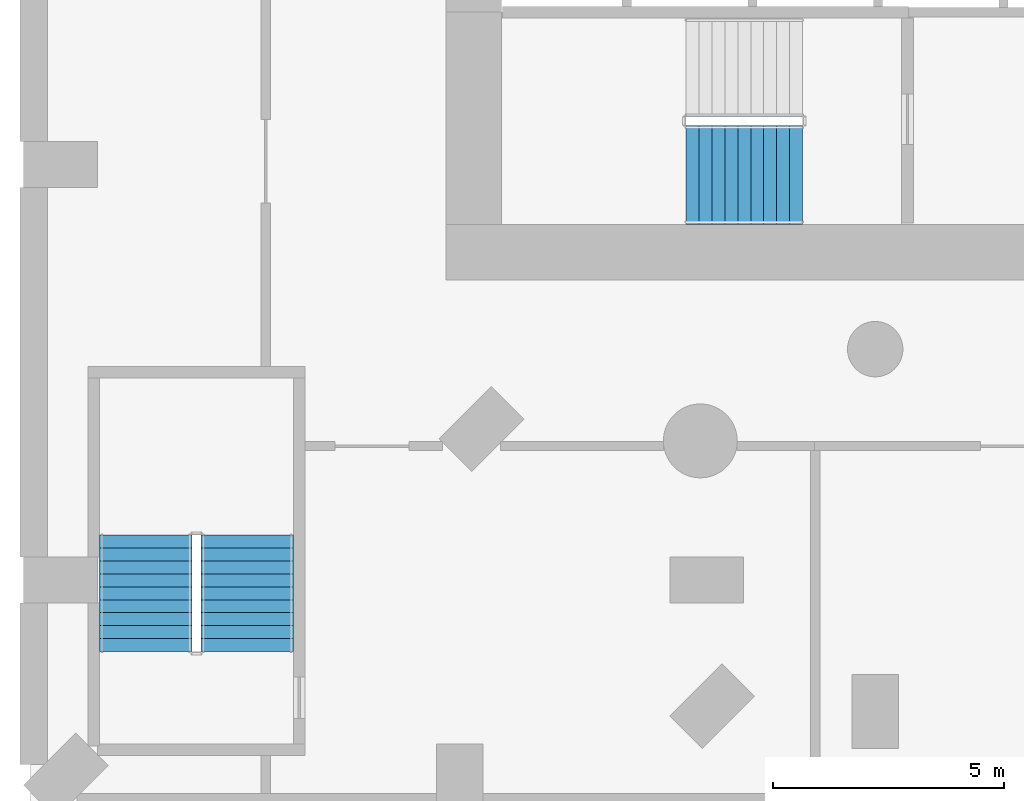
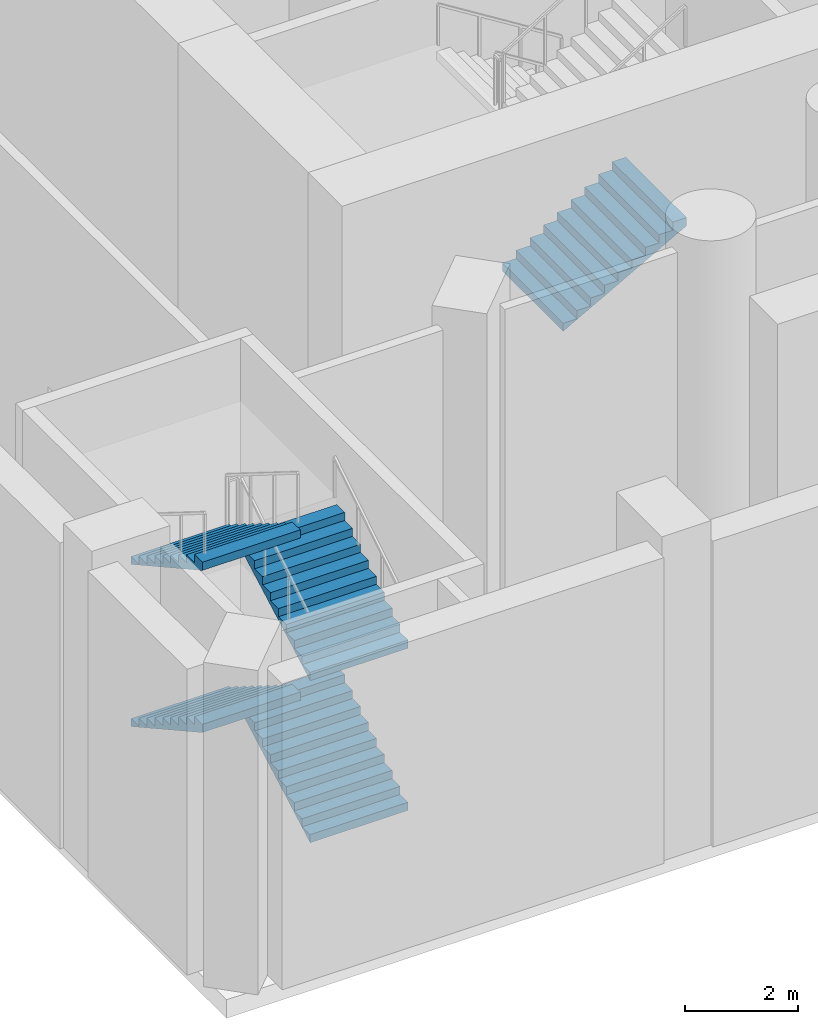
# One storey, part 11 of 21: 5 stair flights, 2 elements without a shape of their own.
"""IFC4 building model written with IfcOpenShell, lengths in metres."""

from ifc_helpers import new_model, si_unit, direction, frame, origin, place, context, subcontext, project, spatial, triangles, material, type_object, element, aggregate, save


model = new_model("IFC4")

# Units and contexts
model_context = context("Model", 3, precision=1e-05, world=origin(), true_north=direction((0.0, 1.0)))
body_context = subcontext(model_context, "Body", "Model", "MODEL_VIEW")
ifc_project = project(units=[si_unit("LENGTHUNIT", "METRE"), si_unit("AREAUNIT", "SQUARE_METRE"), si_unit("VOLUMEUNIT", "CUBIC_METRE"), si_unit("PLANEANGLEUNIT", "RADIAN"), si_unit("MASSUNIT", "GRAM", prefix="KILO")], contexts=[model_context])

# Site, building, storey
site_placement = place(None, origin())
site = spatial("IfcSite", under=ifc_project, at=site_placement, CompositionType="ELEMENT")
building_placement = place(site_placement, origin())
building = spatial("IfcBuilding", under=site, at=building_placement, Name="Cypress Arch Tower", CompositionType="ELEMENT")
storey_placement = place(building_placement, frame((0.0, 0.0, 29.0)))
storey = spatial("IfcBuildingStorey", under=building, at=storey_placement, Name="L03", CompositionType="ELEMENT", Elevation=29.0)

# Stair, stair flights
ifc_material_1 = material(Name="Concrete C40/50", Category="concrete")
stair_type_1 = type_object("IfcStairType", Name="Exit stair ES1750-200", PredefinedType="HALF_TURN_STAIR", material=ifc_material_1)
stair_1_placement = place(storey_placement, origin())
stair_1 = element("IfcStair", 1, at=stair_1_placement, inside=storey, type_object=stair_type_1, Name="L03 Exit stair P1", PredefinedType="HALF_TURN_STAIR")
ifc_material_2 = material(Name="Concrete C40/50", Category="concrete")
stair_flight_type_1 = type_object("IfcStairFlightType", Name="Exit stair flight ES1750-200", PredefinedType="STRAIGHT", material=ifc_material_2)
stair_flight_1_placement = place(storey_placement, frame((-34.300048828125, -24.050048828125, 0.0), z_axis=(0.0, 0.0, 1.0), x_axis=(0.0, 1.0, 0.0)))
stair_flight_1 = element("IfcStairFlight", 2, at=stair_flight_1_placement, type_object=stair_flight_type_1, Name="P1 flight 1", NumberOfRisers=10, NumberOfTreads=9, PredefinedType="STRAIGHT", RiserHeight=0.175, TreadLength=0.28, context=body_context, shape_type="Tessellation", body=[
    triangles([(0.0, -1.0, 0.0), (0.000244140625, -1.0, 0.034912109375), (0.00048828125, -1.0, 0.070068359375), (0.00048828125, -1.0, 0.10498046875), (0.000244140625, -1.0, 0.14013671875), (0.0, -1.0, 0.175048828125), (0.280029296875, -1.0, 0.175048828125), (0.280029296875, -1.0, 0.35009765625), (0.56005859375, -1.0, 0.35009765625), (0.56005859375, -1.0, 0.52490234375), (0.840087890625, -1.0, 0.52490234375), (0.840087890625, -1.0, 0.699951171875), (1.1201171875, -1.0, 0.699951171875), (1.1201171875, -1.0, 0.875), (1.39990234375, -1.0, 0.875), (1.39990234375, -1.0, 1.050048828125), (1.679931640625, -1.0, 1.050048828125), (1.679931640625, -1.0, 1.22509765625), (1.9599609375, -1.0, 1.22509765625), (1.9599609375, -1.0, 1.39990234375), (2.239990234375, -1.0, 1.39990234375), (2.239990234375, -1.0, 1.574951171875), (2.52001953125, -1.0, 1.574951171875), (2.519775390625, -1.0, 1.53955078125), (2.51953125, -1.0, 1.504150390625), (2.51953125, -1.0, 1.468994140625), (2.519775390625, -1.0, 1.43359375), (2.52001953125, -1.0, 1.398193359375), (2.52001953125, 1.0, 1.398193359375), (2.519775390625, 1.0, 1.43359375), (2.51953125, 1.0, 1.468994140625), (2.51953125, 1.0, 1.504150390625), (2.519775390625, 1.0, 1.53955078125), (2.52001953125, 1.0, 1.574951171875), (2.239990234375, 1.0, 1.574951171875), (2.239990234375, 1.0, 1.39990234375), (1.9599609375, 1.0, 1.39990234375), (1.9599609375, 1.0, 1.22509765625), (1.679931640625, 1.0, 1.22509765625), (1.679931640625, 1.0, 1.050048828125), (1.39990234375, 1.0, 1.050048828125), (1.39990234375, 1.0, 0.875), (1.1201171875, 1.0, 0.875), (1.1201171875, 1.0, 0.699951171875), (0.840087890625, 1.0, 0.699951171875), (0.840087890625, 1.0, 0.52490234375), (0.56005859375, 1.0, 0.52490234375), (0.56005859375, 1.0, 0.35009765625), (0.280029296875, 1.0, 0.35009765625), (0.280029296875, 1.0, 0.175048828125), (0.0, 1.0, 0.175048828125), (0.000244140625, 1.0, 0.14013671875), (0.00048828125, 1.0, 0.10498046875), (0.00048828125, 1.0, 0.070068359375), (0.000244140625, 1.0, 0.034912109375), (0.0, 1.0, 0.0), (2.519775390625, 0.0, 1.43359375), (2.52001953125, 0.0, 1.398193359375), (2.51953125, 0.0, 1.468994140625), (2.51953125, 0.0, 1.504150390625), (2.519775390625, 0.0, 1.53955078125), (2.52001953125, 0.0, 1.574951171875), (2.239990234375, 0.0, 1.574951171875), (2.239990234375, 0.0, 1.39990234375), (1.9599609375, 0.0, 1.39990234375), (1.9599609375, 0.0, 1.22509765625), (1.679931640625, 0.0, 1.22509765625), (1.679931640625, 0.0, 1.050048828125), (1.39990234375, 0.0, 1.050048828125), (1.39990234375, 0.0, 0.875), (1.1201171875, 0.0, 0.875), (1.1201171875, 0.0, 0.699951171875), (0.840087890625, 0.0, 0.699951171875), (0.840087890625, 0.0, 0.52490234375), (0.56005859375, 0.0, 0.52490234375), (0.56005859375, 0.0, 0.35009765625), (0.280029296875, 0.0, 0.35009765625), (0.280029296875, 0.0, 0.175048828125), (0.0, 0.0, 0.175048828125), (0.000244140625, 0.0, 0.14013671875), (0.00048828125, 0.0, 0.10498046875), (0.00048828125, 0.0, 0.070068359375), (0.000244140625, 0.0, 0.034912109375), (0.0, 0.0, 0.0)], [[28, 27, 22], [27, 26, 22], [26, 25, 22], [25, 24, 22], [24, 23, 22], [15, 14, 13], [19, 18, 17], [17, 16, 15], [13, 12, 11], [9, 8, 7], [6, 5, 7], [5, 4, 7], [4, 3, 7], [3, 2, 7], [2, 1, 7], [21, 20, 19], [11, 10, 9], [28, 22, 21], [28, 21, 19], [28, 19, 17], [28, 17, 15], [28, 15, 13], [28, 13, 11], [1, 28, 11], [11, 9, 7], [11, 7, 1], [29, 35, 30], [30, 35, 31], [31, 35, 32], [32, 35, 33], [33, 35, 34], [42, 44, 43], [38, 40, 39], [40, 42, 41], [44, 46, 45], [48, 50, 49], [51, 50, 52], [52, 50, 53], [53, 50, 54], [54, 50, 55], [55, 50, 56], [36, 38, 37], [46, 48, 47], [29, 36, 35], [29, 38, 36], [29, 40, 38], [29, 42, 40], [29, 44, 42], [29, 46, 44], [56, 46, 29], [46, 50, 48], [46, 56, 50], [58, 57, 27], [58, 27, 28], [29, 30, 57], [29, 57, 58], [57, 59, 26], [57, 26, 27], [30, 31, 59], [30, 59, 57], [59, 60, 25], [59, 25, 26], [31, 32, 60], [31, 60, 59], [60, 61, 24], [60, 24, 25], [32, 33, 61], [32, 61, 60], [61, 62, 23], [61, 23, 24], [33, 34, 62], [33, 62, 61], [62, 63, 22], [62, 22, 23], [34, 35, 63], [34, 63, 62], [63, 64, 21], [63, 21, 22], [35, 36, 64], [35, 64, 63], [64, 65, 20], [64, 20, 21], [36, 37, 65], [36, 65, 64], [65, 66, 19], [65, 19, 20], [37, 38, 66], [37, 66, 65], [66, 67, 18], [66, 18, 19], [38, 39, 67], [38, 67, 66], [67, 68, 17], [67, 17, 18], [39, 40, 68], [39, 68, 67], [68, 69, 16], [68, 16, 17], [40, 41, 69], [40, 69, 68], [69, 70, 15], [69, 15, 16], [41, 42, 70], [41, 70, 69], [70, 71, 14], [70, 14, 15], [42, 43, 71], [42, 71, 70], [71, 72, 13], [71, 13, 14], [43, 44, 72], [43, 72, 71], [72, 73, 12], [72, 12, 13], [44, 45, 73], [44, 73, 72], [73, 74, 11], [73, 11, 12], [45, 46, 74], [45, 74, 73], [74, 75, 10], [74, 10, 11], [46, 47, 75], [46, 75, 74], [75, 76, 9], [75, 9, 10], [47, 48, 76], [47, 76, 75], [76, 77, 8], [76, 8, 9], [48, 49, 77], [48, 77, 76], [77, 78, 7], [77, 7, 8], [49, 50, 78], [49, 78, 77], [78, 79, 6], [78, 6, 7], [50, 51, 79], [50, 79, 78], [79, 80, 5], [79, 5, 6], [51, 52, 80], [51, 80, 79], [80, 81, 4], [80, 4, 5], [52, 53, 81], [52, 81, 80], [81, 82, 3], [81, 3, 4], [53, 54, 82], [53, 82, 81], [82, 83, 2], [82, 2, 3], [54, 55, 83], [54, 83, 82], [83, 84, 1], [83, 1, 2], [55, 56, 84], [55, 84, 83], [84, 58, 28], [84, 28, 1], [56, 29, 58], [56, 58, 84]], closed=True),
])
stair_flight_2_placement = place(storey_placement, frame((-36.5, -21.530029296875, 1.75), z_axis=(0.0, 0.0, 1.0), x_axis=(0.0, -1.0, 0.0)))
stair_flight_2 = element("IfcStairFlight", 3, at=stair_flight_2_placement, type_object=stair_flight_type_1, Name="P1 flight 2", NumberOfRisers=10, NumberOfTreads=9, PredefinedType="STRAIGHT", RiserHeight=0.175, TreadLength=0.28, context=body_context, shape_type="Tessellation", body=[
    triangles([(0.0, -1.0, 0.0), (0.000244140625, -1.0, 0.034912109375), (0.00048828125, -1.0, 0.070068359375), (0.00048828125, -1.0, 0.10498046875), (0.000244140625, -1.0, 0.14013671875), (0.0, -1.0, 0.175048828125), (0.280029296875, -1.0, 0.175048828125), (0.280029296875, -1.0, 0.35009765625), (0.56005859375, -1.0, 0.35009765625), (0.56005859375, -1.0, 0.52490234375), (0.840087890625, -1.0, 0.52490234375), (0.840087890625, -1.0, 0.699951171875), (1.1201171875, -1.0, 0.699951171875), (1.1201171875, -1.0, 0.875), (1.39990234375, -1.0, 0.875), (1.39990234375, -1.0, 1.050048828125), (1.679931640625, -1.0, 1.050048828125), (1.679931640625, -1.0, 1.22509765625), (1.9599609375, -1.0, 1.22509765625), (1.9599609375, -1.0, 1.39990234375), (2.239990234375, -1.0, 1.39990234375), (2.239990234375, -1.0, 1.574951171875), (2.52001953125, -1.0, 1.574951171875), (2.519775390625, -1.0, 1.53955078125), (2.51953125, -1.0, 1.504150390625), (2.51953125, -1.0, 1.468994140625), (2.519775390625, -1.0, 1.43359375), (2.52001953125, -1.0, 1.398193359375), (2.52001953125, 1.0, 1.398193359375), (2.519775390625, 1.0, 1.43359375), (2.51953125, 1.0, 1.468994140625), (2.51953125, 1.0, 1.504150390625), (2.519775390625, 1.0, 1.53955078125), (2.52001953125, 1.0, 1.574951171875), (2.239990234375, 1.0, 1.574951171875), (2.239990234375, 1.0, 1.39990234375), (1.9599609375, 1.0, 1.39990234375), (1.9599609375, 1.0, 1.22509765625), (1.679931640625, 1.0, 1.22509765625), (1.679931640625, 1.0, 1.050048828125), (1.39990234375, 1.0, 1.050048828125), (1.39990234375, 1.0, 0.875), (1.1201171875, 1.0, 0.875), (1.1201171875, 1.0, 0.699951171875), (0.840087890625, 1.0, 0.699951171875), (0.840087890625, 1.0, 0.52490234375), (0.56005859375, 1.0, 0.52490234375), (0.56005859375, 1.0, 0.35009765625), (0.280029296875, 1.0, 0.35009765625), (0.280029296875, 1.0, 0.175048828125), (0.0, 1.0, 0.175048828125), (0.000244140625, 1.0, 0.14013671875), (0.00048828125, 1.0, 0.10498046875), (0.00048828125, 1.0, 0.070068359375), (0.000244140625, 1.0, 0.034912109375), (0.0, 1.0, 0.0), (2.519775390625, 0.0, 1.43359375), (2.52001953125, 0.0, 1.398193359375), (2.51953125, 0.0, 1.468994140625), (2.51953125, 0.0, 1.504150390625), (2.519775390625, 0.0, 1.53955078125), (2.52001953125, 0.0, 1.574951171875), (2.239990234375, 0.0, 1.574951171875), (2.239990234375, 0.0, 1.39990234375), (1.9599609375, 0.0, 1.39990234375), (1.9599609375, 0.0, 1.22509765625), (1.679931640625, 0.0, 1.22509765625), (1.679931640625, 0.0, 1.050048828125), (1.39990234375, 0.0, 1.050048828125), (1.39990234375, 0.0, 0.875), (1.1201171875, 0.0, 0.875), (1.1201171875, 0.0, 0.699951171875), (0.840087890625, 0.0, 0.699951171875), (0.840087890625, 0.0, 0.52490234375), (0.56005859375, 0.0, 0.52490234375), (0.56005859375, 0.0, 0.35009765625), (0.280029296875, 0.0, 0.35009765625), (0.280029296875, 0.0, 0.175048828125), (0.0, 0.0, 0.175048828125), (0.000244140625, 0.0, 0.14013671875), (0.00048828125, 0.0, 0.10498046875), (0.00048828125, 0.0, 0.070068359375), (0.000244140625, 0.0, 0.034912109375), (0.0, 0.0, 0.0)], [[28, 27, 22], [27, 26, 22], [26, 25, 22], [25, 24, 22], [24, 23, 22], [15, 14, 13], [19, 18, 17], [17, 16, 15], [13, 12, 11], [9, 8, 7], [6, 5, 7], [5, 4, 7], [4, 3, 7], [3, 2, 7], [2, 1, 7], [21, 20, 19], [11, 10, 9], [28, 22, 21], [28, 21, 19], [28, 19, 17], [28, 17, 15], [28, 15, 13], [28, 13, 11], [1, 28, 11], [11, 9, 7], [11, 7, 1], [29, 35, 30], [30, 35, 31], [31, 35, 32], [32, 35, 33], [33, 35, 34], [42, 44, 43], [38, 40, 39], [40, 42, 41], [44, 46, 45], [48, 50, 49], [51, 50, 52], [52, 50, 53], [53, 50, 54], [54, 50, 55], [55, 50, 56], [36, 38, 37], [46, 48, 47], [29, 36, 35], [29, 38, 36], [29, 40, 38], [29, 42, 40], [29, 44, 42], [29, 46, 44], [56, 46, 29], [46, 50, 48], [46, 56, 50], [58, 57, 27], [58, 27, 28], [29, 30, 57], [29, 57, 58], [57, 59, 26], [57, 26, 27], [30, 31, 59], [30, 59, 57], [59, 60, 25], [59, 25, 26], [31, 32, 60], [31, 60, 59], [60, 61, 24], [60, 24, 25], [32, 33, 61], [32, 61, 60], [61, 62, 23], [61, 23, 24], [33, 34, 62], [33, 62, 61], [62, 63, 22], [62, 22, 23], [34, 35, 63], [34, 63, 62], [63, 64, 21], [63, 21, 22], [35, 36, 64], [35, 64, 63], [64, 65, 20], [64, 20, 21], [36, 37, 65], [36, 65, 64], [65, 66, 19], [65, 19, 20], [37, 38, 66], [37, 66, 65], [66, 67, 18], [66, 18, 19], [38, 39, 67], [38, 67, 66], [67, 68, 17], [67, 17, 18], [39, 40, 68], [39, 68, 67], [68, 69, 16], [68, 16, 17], [40, 41, 69], [40, 69, 68], [69, 70, 15], [69, 15, 16], [41, 42, 70], [41, 70, 69], [70, 71, 14], [70, 14, 15], [42, 43, 71], [42, 71, 70], [71, 72, 13], [71, 13, 14], [43, 44, 72], [43, 72, 71], [72, 73, 12], [72, 12, 13], [44, 45, 73], [44, 73, 72], [73, 74, 11], [73, 11, 12], [45, 46, 74], [45, 74, 73], [74, 75, 10], [74, 10, 11], [46, 47, 75], [46, 75, 74], [75, 76, 9], [75, 9, 10], [47, 48, 76], [47, 76, 75], [76, 77, 8], [76, 8, 9], [48, 49, 77], [48, 77, 76], [77, 78, 7], [77, 7, 8], [49, 50, 78], [49, 78, 77], [78, 79, 6], [78, 6, 7], [50, 51, 79], [50, 79, 78], [79, 80, 5], [79, 5, 6], [51, 52, 80], [51, 80, 79], [80, 81, 4], [80, 4, 5], [52, 53, 81], [52, 81, 80], [81, 82, 3], [81, 3, 4], [53, 54, 82], [53, 82, 81], [82, 83, 2], [82, 2, 3], [54, 55, 83], [54, 83, 82], [83, 84, 1], [83, 1, 2], [55, 56, 84], [55, 84, 83], [84, 58, 28], [84, 28, 1], [56, 29, 58], [56, 58, 84]], closed=True),
])
stair_flight_3_placement = place(storey_placement, frame((-34.300048828125, -24.050048828125, 3.5), z_axis=(0.0, 0.0, 1.0), x_axis=(0.0, 1.0, 0.0)))
stair_flight_3 = element("IfcStairFlight", 4, at=stair_flight_3_placement, type_object=stair_flight_type_1, Name="P1 flight 3", NumberOfRisers=10, NumberOfTreads=9, PredefinedType="STRAIGHT", RiserHeight=0.175, TreadLength=0.28, context=body_context, shape_type="Tessellation", body=[
    triangles([(0.0, -1.0, 0.0), (0.000244140625, -1.0, 0.034912109375), (0.00048828125, -1.0, 0.070068359375), (0.00048828125, -1.0, 0.10498046875), (0.000244140625, -1.0, 0.14013671875), (0.0, -1.0, 0.175048828125), (0.280029296875, -1.0, 0.175048828125), (0.280029296875, -1.0, 0.35009765625), (0.56005859375, -1.0, 0.35009765625), (0.56005859375, -1.0, 0.52490234375), (0.840087890625, -1.0, 0.52490234375), (0.840087890625, -1.0, 0.699951171875), (1.1201171875, -1.0, 0.699951171875), (1.1201171875, -1.0, 0.875), (1.39990234375, -1.0, 0.875), (1.39990234375, -1.0, 1.050048828125), (1.679931640625, -1.0, 1.050048828125), (1.679931640625, -1.0, 1.22509765625), (1.9599609375, -1.0, 1.22509765625), (1.9599609375, -1.0, 1.39990234375), (2.239990234375, -1.0, 1.39990234375), (2.239990234375, -1.0, 1.574951171875), (2.52001953125, -1.0, 1.574951171875), (2.519775390625, -1.0, 1.53955078125), (2.51953125, -1.0, 1.504150390625), (2.51953125, -1.0, 1.468994140625), (2.519775390625, -1.0, 1.43359375), (2.52001953125, -1.0, 1.398193359375), (2.52001953125, 1.0, 1.398193359375), (2.519775390625, 1.0, 1.43359375), (2.51953125, 1.0, 1.468994140625), (2.51953125, 1.0, 1.504150390625), (2.519775390625, 1.0, 1.53955078125), (2.52001953125, 1.0, 1.574951171875), (2.239990234375, 1.0, 1.574951171875), (2.239990234375, 1.0, 1.39990234375), (1.9599609375, 1.0, 1.39990234375), (1.9599609375, 1.0, 1.22509765625), (1.679931640625, 1.0, 1.22509765625), (1.679931640625, 1.0, 1.050048828125), (1.39990234375, 1.0, 1.050048828125), (1.39990234375, 1.0, 0.875), (1.1201171875, 1.0, 0.875), (1.1201171875, 1.0, 0.699951171875), (0.840087890625, 1.0, 0.699951171875), (0.840087890625, 1.0, 0.52490234375), (0.56005859375, 1.0, 0.52490234375), (0.56005859375, 1.0, 0.35009765625), (0.280029296875, 1.0, 0.35009765625), (0.280029296875, 1.0, 0.175048828125), (0.0, 1.0, 0.175048828125), (0.000244140625, 1.0, 0.14013671875), (0.00048828125, 1.0, 0.10498046875), (0.00048828125, 1.0, 0.070068359375), (0.000244140625, 1.0, 0.034912109375), (0.0, 1.0, 0.0), (2.519775390625, 0.0, 1.43359375), (2.52001953125, 0.0, 1.398193359375), (2.51953125, 0.0, 1.468994140625), (2.51953125, 0.0, 1.504150390625), (2.519775390625, 0.0, 1.53955078125), (2.52001953125, 0.0, 1.574951171875), (2.239990234375, 0.0, 1.574951171875), (2.239990234375, 0.0, 1.39990234375), (1.9599609375, 0.0, 1.39990234375), (1.9599609375, 0.0, 1.22509765625), (1.679931640625, 0.0, 1.22509765625), (1.679931640625, 0.0, 1.050048828125), (1.39990234375, 0.0, 1.050048828125), (1.39990234375, 0.0, 0.875), (1.1201171875, 0.0, 0.875), (1.1201171875, 0.0, 0.699951171875), (0.840087890625, 0.0, 0.699951171875), (0.840087890625, 0.0, 0.52490234375), (0.56005859375, 0.0, 0.52490234375), (0.56005859375, 0.0, 0.35009765625), (0.280029296875, 0.0, 0.35009765625), (0.280029296875, 0.0, 0.175048828125), (0.0, 0.0, 0.175048828125), (0.000244140625, 0.0, 0.14013671875), (0.00048828125, 0.0, 0.10498046875), (0.00048828125, 0.0, 0.070068359375), (0.000244140625, 0.0, 0.034912109375), (0.0, 0.0, 0.0)], [[28, 27, 22], [27, 26, 22], [26, 25, 22], [25, 24, 22], [24, 23, 22], [15, 14, 13], [19, 18, 17], [17, 16, 15], [13, 12, 11], [9, 8, 7], [6, 5, 7], [5, 4, 7], [4, 3, 7], [3, 2, 7], [2, 1, 7], [21, 20, 19], [11, 10, 9], [28, 22, 21], [28, 21, 19], [28, 19, 17], [28, 17, 15], [28, 15, 13], [28, 13, 11], [1, 28, 11], [11, 9, 7], [11, 7, 1], [29, 35, 30], [30, 35, 31], [31, 35, 32], [32, 35, 33], [33, 35, 34], [42, 44, 43], [38, 40, 39], [40, 42, 41], [44, 46, 45], [48, 50, 49], [51, 50, 52], [52, 50, 53], [53, 50, 54], [54, 50, 55], [55, 50, 56], [36, 38, 37], [46, 48, 47], [29, 36, 35], [29, 38, 36], [29, 40, 38], [29, 42, 40], [29, 44, 42], [29, 46, 44], [56, 46, 29], [46, 50, 48], [46, 56, 50], [58, 57, 27], [58, 27, 28], [29, 30, 57], [29, 57, 58], [57, 59, 26], [57, 26, 27], [30, 31, 59], [30, 59, 57], [59, 60, 25], [59, 25, 26], [31, 32, 60], [31, 60, 59], [60, 61, 24], [60, 24, 25], [32, 33, 61], [32, 61, 60], [61, 62, 23], [61, 23, 24], [33, 34, 62], [33, 62, 61], [62, 63, 22], [62, 22, 23], [34, 35, 63], [34, 63, 62], [63, 64, 21], [63, 21, 22], [35, 36, 64], [35, 64, 63], [64, 65, 20], [64, 20, 21], [36, 37, 65], [36, 65, 64], [65, 66, 19], [65, 19, 20], [37, 38, 66], [37, 66, 65], [66, 67, 18], [66, 18, 19], [38, 39, 67], [38, 67, 66], [67, 68, 17], [67, 17, 18], [39, 40, 68], [39, 68, 67], [68, 69, 16], [68, 16, 17], [40, 41, 69], [40, 69, 68], [69, 70, 15], [69, 15, 16], [41, 42, 70], [41, 70, 69], [70, 71, 14], [70, 14, 15], [42, 43, 71], [42, 71, 70], [71, 72, 13], [71, 13, 14], [43, 44, 72], [43, 72, 71], [72, 73, 12], [72, 12, 13], [44, 45, 73], [44, 73, 72], [73, 74, 11], [73, 11, 12], [45, 46, 74], [45, 74, 73], [74, 75, 10], [74, 10, 11], [46, 47, 75], [46, 75, 74], [75, 76, 9], [75, 9, 10], [47, 48, 76], [47, 76, 75], [76, 77, 8], [76, 8, 9], [48, 49, 77], [48, 77, 76], [77, 78, 7], [77, 7, 8], [49, 50, 78], [49, 78, 77], [78, 79, 6], [78, 6, 7], [50, 51, 79], [50, 79, 78], [79, 80, 5], [79, 5, 6], [51, 52, 80], [51, 80, 79], [80, 81, 4], [80, 4, 5], [52, 53, 81], [52, 81, 80], [81, 82, 3], [81, 3, 4], [53, 54, 82], [53, 82, 81], [82, 83, 2], [82, 2, 3], [54, 55, 83], [54, 83, 82], [83, 84, 1], [83, 1, 2], [55, 56, 84], [55, 84, 83], [84, 58, 28], [84, 28, 1], [56, 29, 58], [56, 58, 84]], closed=True),
])
stair_flight_4_placement = place(storey_placement, frame((-36.5, -21.530029296875, 5.25), z_axis=(0.0, 0.0, 1.0), x_axis=(0.0, -1.0, 0.0)))
stair_flight_4 = element("IfcStairFlight", 5, at=stair_flight_4_placement, type_object=stair_flight_type_1, Name="P1 flight 4", NumberOfRisers=10, NumberOfTreads=9, PredefinedType="STRAIGHT", RiserHeight=0.175, TreadLength=0.28, context=body_context, shape_type="Tessellation", body=[
    triangles([(0.0, -1.0, 0.0), (0.000244140625, -1.0, 0.034912109375), (0.00048828125, -1.0, 0.070068359375), (0.00048828125, -1.0, 0.10498046875), (0.000244140625, -1.0, 0.14013671875), (0.0, -1.0, 0.175048828125), (0.280029296875, -1.0, 0.175048828125), (0.280029296875, -1.0, 0.35009765625), (0.56005859375, -1.0, 0.35009765625), (0.56005859375, -1.0, 0.52490234375), (0.840087890625, -1.0, 0.52490234375), (0.840087890625, -1.0, 0.699951171875), (1.1201171875, -1.0, 0.699951171875), (1.1201171875, -1.0, 0.875), (1.39990234375, -1.0, 0.875), (1.39990234375, -1.0, 1.050048828125), (1.679931640625, -1.0, 1.050048828125), (1.679931640625, -1.0, 1.22509765625), (1.9599609375, -1.0, 1.22509765625), (1.9599609375, -1.0, 1.39990234375), (2.239990234375, -1.0, 1.39990234375), (2.239990234375, -1.0, 1.574951171875), (2.52001953125, -1.0, 1.574951171875), (2.519775390625, -1.0, 1.53955078125), (2.51953125, -1.0, 1.504150390625), (2.51953125, -1.0, 1.468994140625), (2.519775390625, -1.0, 1.43359375), (2.52001953125, -1.0, 1.398193359375), (2.52001953125, 1.0, 1.398193359375), (2.519775390625, 1.0, 1.43359375), (2.51953125, 1.0, 1.468994140625), (2.51953125, 1.0, 1.504150390625), (2.519775390625, 1.0, 1.53955078125), (2.52001953125, 1.0, 1.574951171875), (2.239990234375, 1.0, 1.574951171875), (2.239990234375, 1.0, 1.39990234375), (1.9599609375, 1.0, 1.39990234375), (1.9599609375, 1.0, 1.22509765625), (1.679931640625, 1.0, 1.22509765625), (1.679931640625, 1.0, 1.050048828125), (1.39990234375, 1.0, 1.050048828125), (1.39990234375, 1.0, 0.875), (1.1201171875, 1.0, 0.875), (1.1201171875, 1.0, 0.699951171875), (0.840087890625, 1.0, 0.699951171875), (0.840087890625, 1.0, 0.52490234375), (0.56005859375, 1.0, 0.52490234375), (0.56005859375, 1.0, 0.35009765625), (0.280029296875, 1.0, 0.35009765625), (0.280029296875, 1.0, 0.175048828125), (0.0, 1.0, 0.175048828125), (0.000244140625, 1.0, 0.14013671875), (0.00048828125, 1.0, 0.10498046875), (0.00048828125, 1.0, 0.070068359375), (0.000244140625, 1.0, 0.034912109375), (0.0, 1.0, 0.0), (2.519775390625, 0.0, 1.43359375), (2.52001953125, 0.0, 1.398193359375), (2.51953125, 0.0, 1.468994140625), (2.51953125, 0.0, 1.504150390625), (2.519775390625, 0.0, 1.53955078125), (2.52001953125, 0.0, 1.574951171875), (2.239990234375, 0.0, 1.574951171875), (2.239990234375, 0.0, 1.39990234375), (1.9599609375, 0.0, 1.39990234375), (1.9599609375, 0.0, 1.22509765625), (1.679931640625, 0.0, 1.22509765625), (1.679931640625, 0.0, 1.050048828125), (1.39990234375, 0.0, 1.050048828125), (1.39990234375, 0.0, 0.875), (1.1201171875, 0.0, 0.875), (1.1201171875, 0.0, 0.699951171875), (0.840087890625, 0.0, 0.699951171875), (0.840087890625, 0.0, 0.52490234375), (0.56005859375, 0.0, 0.52490234375), (0.56005859375, 0.0, 0.35009765625), (0.280029296875, 0.0, 0.35009765625), (0.280029296875, 0.0, 0.175048828125), (0.0, 0.0, 0.175048828125), (0.000244140625, 0.0, 0.14013671875), (0.00048828125, 0.0, 0.10498046875), (0.00048828125, 0.0, 0.070068359375), (0.000244140625, 0.0, 0.034912109375), (0.0, 0.0, 0.0)], [[28, 27, 22], [27, 26, 22], [26, 25, 22], [25, 24, 22], [24, 23, 22], [15, 14, 13], [19, 18, 17], [17, 16, 15], [13, 12, 11], [9, 8, 7], [6, 5, 7], [5, 4, 7], [4, 3, 7], [3, 2, 7], [2, 1, 7], [21, 20, 19], [11, 10, 9], [28, 22, 21], [28, 21, 19], [28, 19, 17], [28, 17, 15], [28, 15, 13], [28, 13, 11], [1, 28, 11], [11, 9, 7], [11, 7, 1], [29, 35, 30], [30, 35, 31], [31, 35, 32], [32, 35, 33], [33, 35, 34], [42, 44, 43], [38, 40, 39], [40, 42, 41], [44, 46, 45], [48, 50, 49], [51, 50, 52], [52, 50, 53], [53, 50, 54], [54, 50, 55], [55, 50, 56], [36, 38, 37], [46, 48, 47], [29, 36, 35], [29, 38, 36], [29, 40, 38], [29, 42, 40], [29, 44, 42], [29, 46, 44], [56, 46, 29], [46, 50, 48], [46, 56, 50], [58, 57, 27], [58, 27, 28], [29, 30, 57], [29, 57, 58], [57, 59, 26], [57, 26, 27], [30, 31, 59], [30, 59, 57], [59, 60, 25], [59, 25, 26], [31, 32, 60], [31, 60, 59], [60, 61, 24], [60, 24, 25], [32, 33, 61], [32, 61, 60], [61, 62, 23], [61, 23, 24], [33, 34, 62], [33, 62, 61], [62, 63, 22], [62, 22, 23], [34, 35, 63], [34, 63, 62], [63, 64, 21], [63, 21, 22], [35, 36, 64], [35, 64, 63], [64, 65, 20], [64, 20, 21], [36, 37, 65], [36, 65, 64], [65, 66, 19], [65, 19, 20], [37, 38, 66], [37, 66, 65], [66, 67, 18], [66, 18, 19], [38, 39, 67], [38, 67, 66], [67, 68, 17], [67, 17, 18], [39, 40, 68], [39, 68, 67], [68, 69, 16], [68, 16, 17], [40, 41, 69], [40, 69, 68], [69, 70, 15], [69, 15, 16], [41, 42, 70], [41, 70, 69], [70, 71, 14], [70, 14, 15], [42, 43, 71], [42, 71, 70], [71, 72, 13], [71, 13, 14], [43, 44, 72], [43, 72, 71], [72, 73, 12], [72, 12, 13], [44, 45, 73], [44, 73, 72], [73, 74, 11], [73, 11, 12], [45, 46, 74], [45, 74, 73], [74, 75, 10], [74, 10, 11], [46, 47, 75], [46, 75, 74], [75, 76, 9], [75, 9, 10], [47, 48, 76], [47, 76, 75], [76, 77, 8], [76, 8, 9], [48, 49, 77], [48, 77, 76], [77, 78, 7], [77, 7, 8], [49, 50, 78], [49, 78, 77], [78, 79, 6], [78, 6, 7], [50, 51, 79], [50, 79, 78], [79, 80, 5], [79, 5, 6], [51, 52, 80], [51, 80, 79], [80, 81, 4], [80, 4, 5], [52, 53, 81], [52, 81, 80], [81, 82, 3], [81, 3, 4], [53, 54, 82], [53, 82, 81], [82, 83, 2], [82, 2, 3], [54, 55, 83], [54, 83, 82], [83, 84, 1], [83, 1, 2], [55, 56, 84], [55, 84, 83], [84, 58, 28], [84, 28, 1], [56, 29, 58], [56, 58, 84]], closed=True),
])
aggregate(stair_1, [stair_flight_1, stair_flight_2, stair_flight_3, stair_flight_4])

# Stair, stair flight
ifc_material_3 = material(Name="Concrete C40/50", Category="concrete")
stair_type_2 = type_object("IfcStairType", Name="Exit stair ES1750-215", PredefinedType="HALF_TURN_STAIR", material=ifc_material_3)
stair_2_placement = place(storey_placement, origin())
stair_2 = element("IfcStair", 6, at=stair_2_placement, inside=storey, type_object=stair_type_2, Name="L03 Exit stair A", PredefinedType="HALF_TURN_STAIR")
ifc_material_4 = material(Name="Concrete C40/50", Category="concrete")
stair_flight_type_2 = type_object("IfcStairFlightType", Name="Exit stair flight ES1750-215", PredefinedType="STRAIGHT", material=ifc_material_4)
stair_flight_5_placement = place(storey_placement, frame((-24.794921875, -13.72509765625, 1.75), z_axis=(0.0, 0.0, 1.0), x_axis=(1.0, 0.0, 0.0)))
stair_flight_5 = element("IfcStairFlight", 7, at=stair_flight_5_placement, type_object=stair_flight_type_2, Name="A flight 2", NumberOfRisers=10, NumberOfTreads=9, PredefinedType="STRAIGHT", RiserHeight=0.175, TreadLength=0.28, context=body_context, shape_type="Tessellation", body=[
    triangles([(0.0, -1.074951171875, 0.0), (0.000244140625, -1.074951171875, 0.01953125), (0.000244140625, -1.074951171875, 0.038818359375), (0.00048828125, -1.074951171875, 0.058349609375), (0.00048828125, -1.074951171875, 0.077880859375), (0.00048828125, -1.074951171875, 0.09716796875), (0.00048828125, -1.074951171875, 0.11669921875), (0.000244140625, -1.074951171875, 0.13623046875), (0.000244140625, -1.074951171875, 0.155517578125), (0.0, -1.074951171875, 0.175048828125), (0.280029296875, -1.074951171875, 0.175048828125), (0.280029296875, -1.074951171875, 0.35009765625), (0.56005859375, -1.074951171875, 0.35009765625), (0.56005859375, -1.074951171875, 0.52490234375), (0.840087890625, -1.074951171875, 0.52490234375), (0.840087890625, -1.074951171875, 0.699951171875), (1.1201171875, -1.074951171875, 0.699951171875), (1.1201171875, -1.074951171875, 0.875), (1.39990234375, -1.074951171875, 0.875), (1.39990234375, -1.074951171875, 1.050048828125), (1.679931640625, -1.074951171875, 1.050048828125), (1.679931640625, -1.074951171875, 1.22509765625), (1.9599609375, -1.074951171875, 1.22509765625), (1.9599609375, -1.074951171875, 1.39990234375), (2.239990234375, -1.074951171875, 1.39990234375), (2.239990234375, -1.074951171875, 1.574951171875), (2.52001953125, -1.074951171875, 1.574951171875), (2.519775390625, -1.074951171875, 1.555419921875), (2.519775390625, -1.074951171875, 1.53564453125), (2.51953125, -1.074951171875, 1.51611328125), (2.51953125, -1.074951171875, 1.496337890625), (2.51953125, -1.074951171875, 1.476806640625), (2.51953125, -1.074951171875, 1.45703125), (2.519775390625, -1.074951171875, 1.4375), (2.519775390625, -1.074951171875, 1.417724609375), (2.52001953125, -1.074951171875, 1.398193359375), (2.52001953125, 1.074951171875, 1.398193359375), (2.519775390625, 1.074951171875, 1.417724609375), (2.519775390625, 1.074951171875, 1.4375), (2.51953125, 1.074951171875, 1.45703125), (2.51953125, 1.074951171875, 1.476806640625), (2.51953125, 1.074951171875, 1.496337890625), (2.51953125, 1.074951171875, 1.51611328125), (2.519775390625, 1.074951171875, 1.53564453125), (2.519775390625, 1.074951171875, 1.555419921875), (2.52001953125, 1.074951171875, 1.574951171875), (2.239990234375, 1.074951171875, 1.574951171875), (2.239990234375, 1.074951171875, 1.39990234375), (1.9599609375, 1.074951171875, 1.39990234375), (1.9599609375, 1.074951171875, 1.22509765625), (1.679931640625, 1.074951171875, 1.22509765625), (1.679931640625, 1.074951171875, 1.050048828125), (1.39990234375, 1.074951171875, 1.050048828125), (1.39990234375, 1.074951171875, 0.875), (1.1201171875, 1.074951171875, 0.875), (1.1201171875, 1.074951171875, 0.699951171875), (0.840087890625, 1.074951171875, 0.699951171875), (0.840087890625, 1.074951171875, 0.52490234375), (0.56005859375, 1.074951171875, 0.52490234375), (0.56005859375, 1.074951171875, 0.35009765625), (0.280029296875, 1.074951171875, 0.35009765625), (0.280029296875, 1.074951171875, 0.175048828125), (0.0, 1.074951171875, 0.175048828125), (0.000244140625, 1.074951171875, 0.155517578125), (0.000244140625, 1.074951171875, 0.13623046875), (0.00048828125, 1.074951171875, 0.11669921875), (0.00048828125, 1.074951171875, 0.09716796875), (0.00048828125, 1.074951171875, 0.077880859375), (0.00048828125, 1.074951171875, 0.058349609375), (0.000244140625, 1.074951171875, 0.038818359375), (0.000244140625, 1.074951171875, 0.01953125), (0.0, 1.074951171875, 0.0), (2.519775390625, 0.0, 1.417724609375), (2.52001953125, 0.0, 1.398193359375), (2.519775390625, 0.0, 1.4375), (2.51953125, 0.0, 1.45703125), (2.51953125, 0.0, 1.476806640625), (2.51953125, 0.0, 1.496337890625), (2.51953125, 0.0, 1.51611328125), (2.519775390625, 0.0, 1.53564453125), (2.519775390625, 0.0, 1.555419921875), (2.52001953125, 0.0, 1.574951171875), (2.239990234375, 0.0, 1.574951171875), (2.239990234375, 0.0, 1.39990234375), (1.9599609375, 0.0, 1.39990234375), (1.9599609375, 0.0, 1.22509765625), (1.679931640625, 0.0, 1.22509765625), (1.679931640625, 0.0, 1.050048828125), (1.39990234375, 0.0, 1.050048828125), (1.39990234375, 0.0, 0.875), (1.1201171875, 0.0, 0.875), (1.1201171875, 0.0, 0.699951171875), (0.840087890625, 0.0, 0.699951171875), (0.840087890625, 0.0, 0.52490234375), (0.56005859375, 0.0, 0.52490234375), (0.56005859375, 0.0, 0.35009765625), (0.280029296875, 0.0, 0.35009765625), (0.280029296875, 0.0, 0.175048828125), (0.0, 0.0, 0.175048828125), (0.000244140625, 0.0, 0.155517578125), (0.000244140625, 0.0, 0.13623046875), (0.00048828125, 0.0, 0.11669921875), (0.00048828125, 0.0, 0.09716796875), (0.00048828125, 0.0, 0.077880859375), (0.00048828125, 0.0, 0.058349609375), (0.000244140625, 0.0, 0.038818359375), (0.000244140625, 0.0, 0.01953125), (0.0, 0.0, 0.0)], [[36, 35, 26], [35, 34, 26], [34, 33, 26], [33, 32, 26], [32, 31, 26], [31, 30, 26], [30, 29, 26], [29, 28, 26], [28, 27, 26], [19, 18, 17], [23, 22, 21], [21, 20, 19], [17, 16, 15], [13, 12, 11], [10, 9, 11], [9, 8, 11], [8, 7, 11], [7, 6, 11], [6, 5, 11], [5, 4, 11], [4, 3, 11], [3, 2, 11], [2, 1, 11], [25, 24, 23], [15, 14, 13], [36, 26, 25], [36, 25, 23], [36, 23, 21], [36, 21, 19], [36, 19, 17], [36, 17, 15], [1, 36, 15], [15, 13, 11], [15, 11, 1], [37, 47, 38], [38, 47, 39], [39, 47, 40], [40, 47, 41], [41, 47, 42], [42, 47, 43], [43, 47, 44], [44, 47, 45], [45, 47, 46], [54, 56, 55], [50, 52, 51], [52, 54, 53], [56, 58, 57], [60, 62, 61], [63, 62, 64], [64, 62, 65], [65, 62, 66], [66, 62, 67], [67, 62, 68], [68, 62, 69], [69, 62, 70], [70, 62, 71], [71, 62, 72], [48, 50, 49], [58, 60, 59], [37, 48, 47], [37, 50, 48], [37, 52, 50], [37, 54, 52], [37, 56, 54], [37, 58, 56], [72, 58, 37], [58, 62, 60], [58, 72, 62], [74, 73, 35], [74, 35, 36], [37, 38, 73], [37, 73, 74], [73, 75, 34], [73, 34, 35], [38, 39, 75], [38, 75, 73], [75, 76, 33], [75, 33, 34], [39, 40, 76], [39, 76, 75], [76, 77, 32], [76, 32, 33], [40, 41, 77], [40, 77, 76], [77, 78, 31], [77, 31, 32], [41, 42, 78], [41, 78, 77], [78, 79, 30], [78, 30, 31], [42, 43, 79], [42, 79, 78], [79, 80, 29], [79, 29, 30], [43, 44, 80], [43, 80, 79], [80, 81, 28], [80, 28, 29], [44, 45, 81], [44, 81, 80], [81, 82, 27], [81, 27, 28], [45, 46, 82], [45, 82, 81], [82, 83, 26], [82, 26, 27], [46, 47, 83], [46, 83, 82], [83, 84, 25], [83, 25, 26], [47, 48, 84], [47, 84, 83], [84, 85, 24], [84, 24, 25], [48, 49, 85], [48, 85, 84], [85, 86, 23], [85, 23, 24], [49, 50, 86], [49, 86, 85], [86, 87, 22], [86, 22, 23], [50, 51, 87], [50, 87, 86], [87, 88, 21], [87, 21, 22], [51, 52, 88], [51, 88, 87], [88, 89, 20], [88, 20, 21], [52, 53, 89], [52, 89, 88], [89, 90, 19], [89, 19, 20], [53, 54, 90], [53, 90, 89], [90, 91, 18], [90, 18, 19], [54, 55, 91], [54, 91, 90], [91, 92, 17], [91, 17, 18], [55, 56, 92], [55, 92, 91], [92, 93, 16], [92, 16, 17], [56, 57, 93], [56, 93, 92], [93, 94, 15], [93, 15, 16], [57, 58, 94], [57, 94, 93], [94, 95, 14], [94, 14, 15], [58, 59, 95], [58, 95, 94], [95, 96, 13], [95, 13, 14], [59, 60, 96], [59, 96, 95], [96, 97, 12], [96, 12, 13], [60, 61, 97], [60, 97, 96], [97, 98, 11], [97, 11, 12], [61, 62, 98], [61, 98, 97], [98, 99, 10], [98, 10, 11], [62, 63, 99], [62, 99, 98], [99, 100, 9], [99, 9, 10], [63, 64, 100], [63, 100, 99], [100, 101, 8], [100, 8, 9], [64, 65, 101], [64, 101, 100], [101, 102, 7], [101, 7, 8], [65, 66, 102], [65, 102, 101], [102, 103, 6], [102, 6, 7], [66, 67, 103], [66, 103, 102], [103, 104, 5], [103, 5, 6], [67, 68, 104], [67, 104, 103], [104, 105, 4], [104, 4, 5], [68, 69, 105], [68, 105, 104], [105, 106, 3], [105, 3, 4], [69, 70, 106], [69, 106, 105], [106, 107, 2], [106, 2, 3], [70, 71, 107], [70, 107, 106], [107, 108, 1], [107, 1, 2], [71, 72, 108], [71, 108, 107], [108, 74, 36], [108, 36, 1], [72, 37, 74], [72, 74, 108]], closed=True),
])
aggregate(stair_2, [stair_flight_5])

save(model, "model.ifc")
